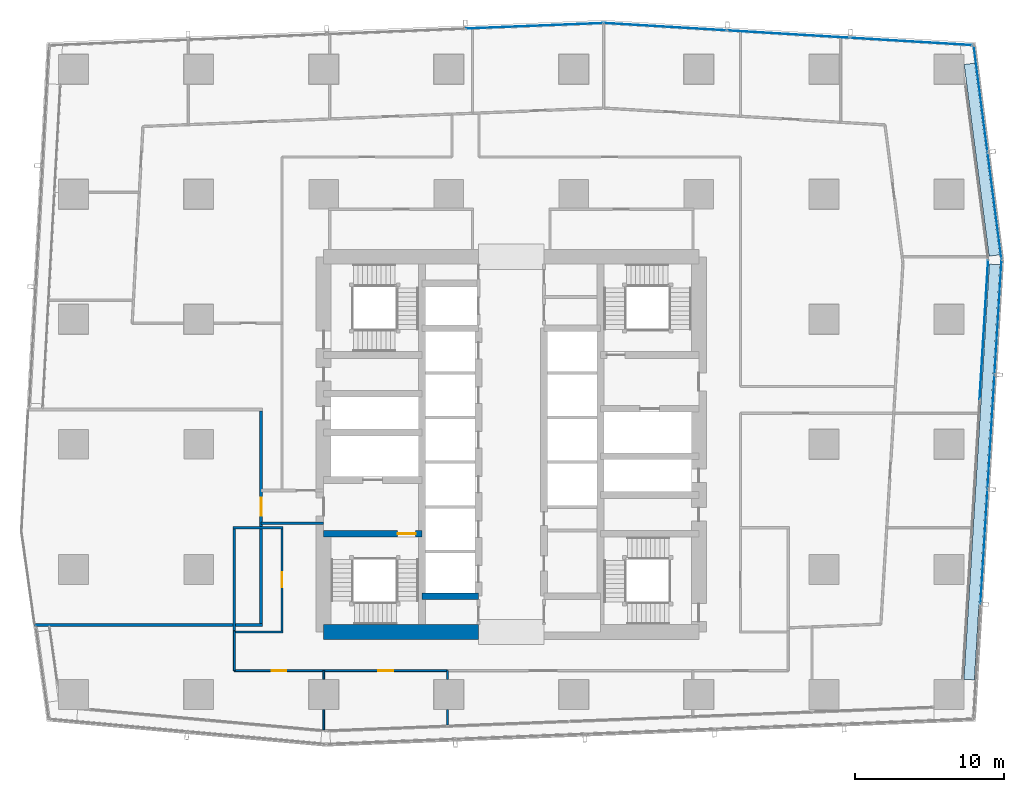
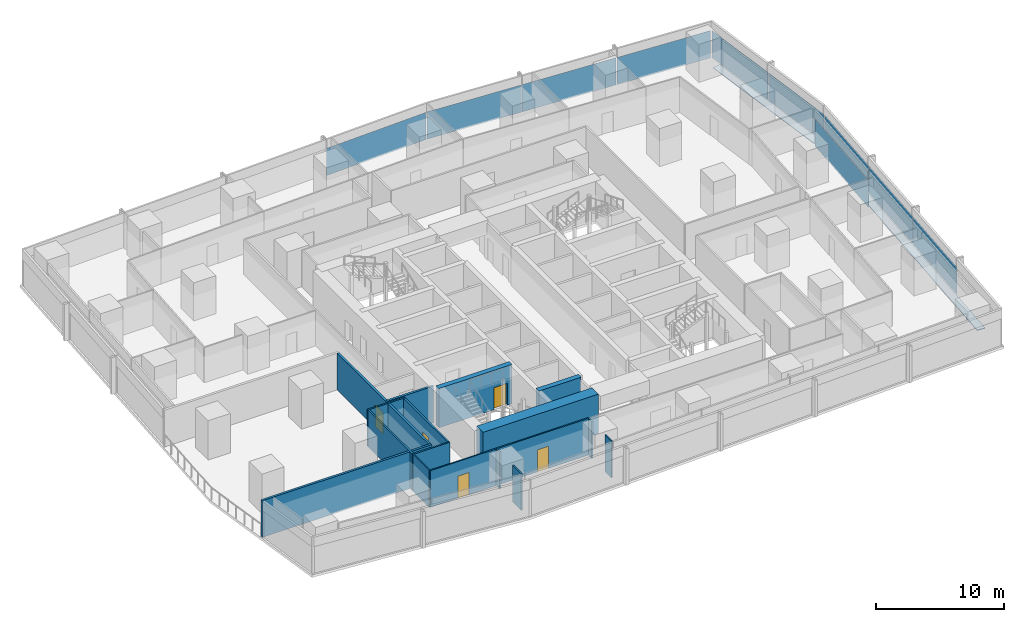
# One storey, part 25 of 36: 17 walls, 12 plates, 5 doors, 5 openings, 5 elements without a shape of their own.
"""IFC4 building model written with IfcOpenShell, lengths in metres."""

from ifc_helpers import new_model, si_unit, direction, frame, frame_2d, origin, origin_2d, place, context, subcontext, project, spatial, rectangle, extrude, material, layer, layer_set, type_object, element, fill, aggregate, save


model = new_model("IFC4")

# Units and contexts
model_context = context("Model", 3, precision=1e-05, world=origin(), true_north=direction((0.0, 1.0)))
body_context = subcontext(model_context, "Body", "Model", "MODEL_VIEW")
ifc_project = project(units=[si_unit("LENGTHUNIT", "METRE"), si_unit("AREAUNIT", "SQUARE_METRE"), si_unit("VOLUMEUNIT", "CUBIC_METRE"), si_unit("PLANEANGLEUNIT", "RADIAN"), si_unit("MASSUNIT", "GRAM", prefix="KILO")], contexts=[model_context])

# Site, building, storey
site_placement = place(None, origin())
site = spatial("IfcSite", under=ifc_project, at=site_placement, CompositionType="ELEMENT")
building_placement = place(site_placement, origin())
building = spatial("IfcBuilding", under=site, at=building_placement, Name="Rekha Terrace Tower", CompositionType="ELEMENT")
storey_placement = place(building_placement, frame((0.0, 0.0, 144.050048828125)))
storey = spatial("IfcBuildingStorey", under=building, at=storey_placement, Name="L36", CompositionType="ELEMENT", Elevation=144.050048828125)

# Curtain wall, plate
ifc_material_1 = material(Name="Aluminium framing", Category="aluminium")
curtain_wall_type_1 = type_object("IfcCurtainWallType", Name="CW1 double skin inner glazing", PredefinedType="USERDEFINED", material=ifc_material_1)
curtain_wall_1_placement = place(storey_placement, origin())
curtain_wall_1 = element("IfcCurtainWall", 1, at=curtain_wall_1_placement, inside=storey, type_object=curtain_wall_type_1, Name="CW1 double skin inner glazing", ObjectType="DOUBLE SKIN INNER GLAZING", PredefinedType="USERDEFINED")
ifc_material_2 = material(Name="Double-glazed low-e unit 32", Category="glass")
ifc_layer_1 = layer(ifc_material_2, 0.031982421875)
ifc_layer_set_1 = layer_set([ifc_layer_1], Name="Double-glazed low-e unit 32")
plate_type_1 = type_object("IfcPlateType", Name="CW1 jumbo vision panel, double-glazed low-e unit 32", PredefinedType="CURTAIN_PANEL", material=ifc_layer_set_1)
plate_1_placement = place(storey_placement, frame((69.54931640625, 41.296875, 0.0), z_axis=(0.0, 0.0, 1.0), x_axis=(0.061159803131, 0.998127987024, 0.0)))
plate_1 = element("IfcPlate", 2, at=plate_1_placement, type_object=plate_type_1, Name="CW1 panel 3.1", PredefinedType="CURTAIN_PANEL", context=body_context, shape_type="SweptSolid", body=[
    extrude(rectangle(XDim=9.3671875, YDim=0.031982421875, at=origin_2d()), origin(), (0.0, 0.0, 1.0), 2.60009765625),
])
aggregate(curtain_wall_1, [plate_1])

# Curtain wall, plates
curtain_wall_type_2 = type_object("IfcCurtainWallType", Name="CW2 double skin outer glazing", PredefinedType="USERDEFINED", material=ifc_material_1)
curtain_wall_2_placement = place(storey_placement, origin())
curtain_wall_2 = element("IfcCurtainWall", 3, at=curtain_wall_2_placement, inside=storey, type_object=curtain_wall_type_2, Name="CW2 double skin outer glazing", ObjectType="DOUBLE SKIN OUTER GLAZING", PredefinedType="USERDEFINED")
ifc_material_3 = material(Name="Toughened single glazing 12", Category="glass")
ifc_layer_2 = layer(ifc_material_3, 0.011962890625)
ifc_layer_set_2 = layer_set([ifc_layer_2], Name="Toughened single glazing 12")
plate_type_2 = type_object("IfcPlateType", Name="CW2 jumbo vision panel, toughened single glazing 12", PredefinedType="CURTAIN_PANEL", material=ifc_layer_set_2)
plate_2_placement = place(storey_placement, frame((69.557861328125, 26.722412109375, 0.0), z_axis=(0.0, 0.0, 1.0), x_axis=(0.061159803131, 0.998127987024, 0.0)))
plate_2 = element("IfcPlate", 4, at=plate_2_placement, type_object=plate_type_2, Name="CW2 panel 2.1", PredefinedType="CURTAIN_PANEL", context=body_context, shape_type="SweptSolid", body=[
    extrude(rectangle(XDim=7.646484375, YDim=0.011962890625, at=origin_2d()), origin(), (0.0, 0.0, 1.0), 2.60009765625),
])
plate_3_placement = place(storey_placement, frame((70.030517578125, 34.434326171875, 0.0), z_axis=(0.0, 0.0, 1.0), x_axis=(0.061159803131, 0.998127987024, 0.0)))
plate_3 = element("IfcPlate", 5, at=plate_3_placement, type_object=plate_type_2, Name="CW2 panel 3.1", PredefinedType="CURTAIN_PANEL", context=body_context, shape_type="SweptSolid", body=[
    extrude(rectangle(XDim=7.646484375, YDim=0.011962890625, at=origin_2d()), origin(), (0.0, 0.0, 1.0), 2.60009765625),
])
plate_4_placement = place(storey_placement, frame((70.50439453125, 42.16650390625, 0.0), z_axis=(0.0, 0.0, 1.0), x_axis=(0.061159803131, 0.998127987024, 0.0)))
plate_4 = element("IfcPlate", 6, at=plate_4_placement, type_object=plate_type_2, Name="CW2 panel 4.1", PredefinedType="CURTAIN_PANEL", context=body_context, shape_type="SweptSolid", body=[
    extrude(rectangle(XDim=7.6865234375, YDim=0.011962890625, at=origin_2d()), origin(), (0.0, 0.0, 1.0), 2.60009765625),
])
aggregate(curtain_wall_2, [plate_2, plate_3, plate_4])

curtain_wall_3_placement = place(storey_placement, origin())
curtain_wall_3 = element("IfcCurtainWall", 7, at=curtain_wall_3_placement, inside=storey, type_object=curtain_wall_type_2, Name="CW2 double skin outer glazing", ObjectType="DOUBLE SKIN OUTER GLAZING", PredefinedType="USERDEFINED")
plate_5_placement = place(storey_placement, frame((70.2666015625, 49.6337890625, 0.0), z_axis=(0.0, 0.0, 1.0), x_axis=(-0.129118383623, 0.991629186244, 0.0)))
plate_5 = element("IfcPlate", 8, at=plate_5_placement, type_object=plate_type_2, Name="CW2 panel 1.1", PredefinedType="CURTAIN_PANEL", context=body_context, shape_type="SweptSolid", body=[
    extrude(rectangle(XDim=7.163818359375, YDim=0.011962890625, at=origin_2d()), origin(), (0.0, 0.0, 1.0), 2.60009765625),
])
plate_6_placement = place(storey_placement, frame((69.331298828125, 56.81689453125, 0.0), z_axis=(0.0, 0.0, 1.0), x_axis=(-0.129118383623, 0.991629186244, 0.0)))
plate_6 = element("IfcPlate", 9, at=plate_6_placement, type_object=plate_type_2, Name="CW2 panel 2.1", PredefinedType="CURTAIN_PANEL", context=body_context, shape_type="SweptSolid", body=[
    extrude(rectangle(XDim=7.163818359375, YDim=0.011962890625, at=origin_2d()), origin(), (0.0, 0.0, 1.0), 2.60009765625),
])
aggregate(curtain_wall_3, [plate_5, plate_6])

curtain_wall_type_3 = type_object("IfcCurtainWallType", Name="CW3 north unitised glazing", PredefinedType="USERDEFINED", material=ifc_material_1)
curtain_wall_4_placement = place(storey_placement, origin())
curtain_wall_4 = element("IfcCurtainWall", 10, at=curtain_wall_4_placement, inside=storey, type_object=curtain_wall_type_3, Name="CW3 unitised curtain wall", ObjectType="UNITISED CURTAIN WALL", PredefinedType="USERDEFINED")
ifc_material_4 = material(Name="Double-glazed unit 28", Category="glass")
ifc_layer_3 = layer(ifc_material_4, 0.028076171875)
ifc_layer_set_3 = layer_set([ifc_layer_3], Name="Double-glazed unit 28")
plate_type_3 = type_object("IfcPlateType", Name="CW3 jumbo vision panel, double-glazed unit 28", PredefinedType="CURTAIN_PANEL", material=ifc_layer_set_3)
plate_7_placement = place(storey_placement, frame((64.6748046875, 60.65966796875, 0.0), z_axis=(0.0, 0.0, 1.0), x_axis=(-0.998199102701, 0.059987926837, 0.0)))
plate_7 = element("IfcPlate", 11, at=plate_7_placement, type_object=plate_type_3, Name="CW3 panel 1.1", PredefinedType="CURTAIN_PANEL", context=body_context, shape_type="SweptSolid", body=[
    extrude(rectangle(XDim=8.171630859375, YDim=0.028076171875, at=origin_2d()), origin(), (0.0, 0.0, 1.0), 2.60009765625),
])
plate_8_placement = place(storey_placement, frame((56.430419921875, 61.155029296875, 0.0), z_axis=(0.0, 0.0, 1.0), x_axis=(-0.998199102701, 0.059987926837, 0.0)))
plate_8 = element("IfcPlate", 12, at=plate_8_placement, type_object=plate_type_3, Name="CW3 panel 2.1", PredefinedType="CURTAIN_PANEL", context=body_context, shape_type="SweptSolid", body=[
    extrude(rectangle(XDim=8.20654296875, YDim=0.028076171875, at=origin_2d()), origin(), (0.0, 0.0, 1.0), 2.60009765625),
])
plate_9_placement = place(storey_placement, frame((48.1513671875, 61.652587890625, 0.0), z_axis=(0.0, 0.0, 1.0), x_axis=(-0.998199102701, 0.059987926837, 0.0)))
plate_9 = element("IfcPlate", 13, at=plate_9_placement, type_object=plate_type_3, Name="CW3 panel 3.1", PredefinedType="CURTAIN_PANEL", context=body_context, shape_type="SweptSolid", body=[
    extrude(rectangle(XDim=8.24169921875, YDim=0.028076171875, at=origin_2d()), origin(), (0.0, 0.0, 1.0), 2.60009765625),
])
aggregate(curtain_wall_4, [plate_7, plate_8, plate_9])

# Curtain wall, plate
curtain_wall_5_placement = place(storey_placement, origin())
curtain_wall_5 = element("IfcCurtainWall", 14, at=curtain_wall_5_placement, inside=storey, type_object=curtain_wall_type_3, Name="CW3 unitised curtain wall", ObjectType="UNITISED CURTAIN WALL", PredefinedType="USERDEFINED")
plate_10_placement = place(storey_placement, frame((39.364501953125, 61.71240234375, 0.0), z_axis=(0.0, 0.0, 1.0), x_axis=(-0.999198398721, -0.040031987119, 0.0)))
plate_10 = element("IfcPlate", 15, at=plate_10_placement, type_object=plate_type_3, Name="CW3 panel 1.1", PredefinedType="CURTAIN_PANEL", context=body_context, shape_type="SweptSolid", body=[
    extrude(rectangle(XDim=9.214599609375, YDim=0.028076171875, at=origin_2d()), origin(), (0.0, 0.0, 1.0), 2.60009765625),
])
aggregate(curtain_wall_5, [plate_10])

# Plates
ifc_material_5 = material(Name="Galvanised steel open grating", Category="steel")
ifc_layer_4 = layer(ifc_material_5, 0.050048828125)
ifc_layer_set_4 = layer_set([ifc_layer_4], Name="Galvanised steel open grating")
plate_type_4 = type_object("IfcPlateType", Name="GT1 cavity walkway grating 50", PredefinedType="USERDEFINED", material=ifc_layer_set_4)
plate_11_placement = place(storey_placement, frame((69.414794921875, 31.742919921875, 0.0), z_axis=(0.0, 0.0, 1.0), x_axis=(0.061159803131, 0.998127987024, 0.0)))
element("IfcPlate", 16, at=plate_11_placement, inside=storey, type_object=plate_type_4, Name="Cavity walkway grating", ObjectType="CAVITY WALKWAY GRATING", PredefinedType="USERDEFINED", context=body_context, shape_type="SweptSolid", body=[
    extrude(rectangle(XDim=27.94189453125, YDim=0.705078125, at=origin_2d()), origin(), (0.0, 0.0, 1.0), 0.050048828125),
])
plate_12_placement = place(storey_placement, frame((69.410400390625, 52.723876953125, 0.0), z_axis=(0.0, 0.0, 1.0), x_axis=(-0.129118383623, 0.991629186244, 0.0)))
element("IfcPlate", 17, at=plate_12_placement, inside=storey, type_object=plate_type_4, Name="Cavity walkway grating", ObjectType="CAVITY WALKWAY GRATING", PredefinedType="USERDEFINED", context=body_context, shape_type="SweptSolid", body=[
    extrude(rectangle(XDim=12.987060546875, YDim=0.705078125, at=origin_2d()), origin(), (0.0, 0.0, 1.0), 0.050048828125),
])

# Wall
ifc_material_6 = material(Name="Concrete M70", Category="concrete")
ifc_layer_5 = layer(ifc_material_6, 0.449951171875)
ifc_layer_set_5 = layer_set([ifc_layer_5], Name="Concrete M70")
wall_type_1 = type_object("IfcWallType", Name="CI2 450 core internal shear wall", PredefinedType="SHEAR", material=ifc_layer_set_5)
wall_1_placement = place(storey_placement, frame((31.800048828125, 23.39990234375, 0.0), z_axis=(0.0, 0.0, 1.0), x_axis=(1.0, 0.0, 0.0)))
element("IfcWall", 18, at=wall_1_placement, inside=storey, type_object=wall_type_1, Name="Core wall Y234W L36", PredefinedType="SHEAR", context=body_context, shape_type="SweptSolid", body=[
    extrude(rectangle(XDim=3.800048828125, YDim=0.449951171875, at=frame_2d((1.89990234375, 0.0))), origin(), (0.0, 0.0, 1.0), 3.75),
])

# Wall, opening, door
wall_2_placement = place(storey_placement, frame((25.199951171875, 27.60009765625, 0.0), z_axis=(0.0, 0.0, 1.0), x_axis=(1.0, 0.0, 0.0)))
wall_2 = element("IfcWall", 19, at=wall_2_placement, inside=storey, type_object=wall_type_1, Name="Core wall Y276W L36", PredefinedType="SHEAR", context=body_context, shape_type="SweptSolid", body=[
    extrude(rectangle(XDim=6.60009765625, YDim=0.449951171875, at=frame_2d((3.300048828125, 0.0))), origin(), (0.0, 0.0, 1.0), 3.75),
])
opening_1_placement = place(wall_2_placement, frame((4.97509765625, 0.0, 0.0)))
opening_1 = element("IfcOpeningElement", 20, at=opening_1_placement, cuts=wall_2, Name="Opening D1", PredefinedType="OPENING", context=body_context, shape_type="SweptSolid", body=[
    extrude(rectangle(XDim=1.199951171875, YDim=2.10009765625, at=frame_2d((0.60009765625, 1.050048828125))), frame((0.0, 0.23486328125, 0.0), z_axis=(0.0, -1.0, 0.0), x_axis=(1.0, 0.0, 0.0)), (0.0, 0.0, 1.0), 0.469970703125),
])
ifc_material_7 = material(Name="Steel fire door", Category="steel")
door_type_1 = type_object("IfcDoorType", Name="D1 1200x2100 stair fire door", OperationType="SINGLE_SWING_RIGHT", PredefinedType="DOOR", material=ifc_material_7)
door_1_placement = place(opening_1_placement, origin())
door_1 = element("IfcDoor", 21, at=door_1_placement, inside=storey, type_object=door_type_1, Name="Stair ST1 door L36", OperationType="SINGLE_SWING_RIGHT", OverallHeight=2.10009765625, OverallWidth=1.199951171875, PredefinedType="DOOR", context=body_context, shape_type="SweptSolid", body=[
    extrude(rectangle(XDim=1.199951171875, YDim=2.10009765625, at=frame_2d((0.60009765625, 1.050048828125))), frame((0.0, 0.02490234375, 0.0), z_axis=(0.0, -1.0, 0.0), x_axis=(1.0, 0.0, 0.0)), (0.0, 0.0, 1.0), 0.050048828125),
])
fill(opening_1, door_1)

# Walls
ifc_layer_6 = layer(ifc_material_6, 1.0)
ifc_layer_set_6 = layer_set([ifc_layer_6], Name="Concrete M70")
wall_type_2 = type_object("IfcWallType", Name="SW2 1000 core outer shear wall", PredefinedType="SHEAR", material=ifc_layer_set_6)
wall_3_placement = place(storey_placement, frame((25.199951171875, 21.0, 0.0), z_axis=(0.0, 0.0, 1.0), x_axis=(1.0, 0.0, 0.0)))
element("IfcWall", 22, at=wall_3_placement, inside=storey, type_object=wall_type_2, Name="Core wall S1 L36", PredefinedType="SHEAR", context=body_context, shape_type="SweptSolid", body=[
    extrude(rectangle(XDim=10.400146484375, YDim=1.0, at=frame_2d((5.2001953125, 0.0))), origin(), (0.0, 0.0, 1.0), 3.75),
])
ifc_material_8 = material(Name="Concrete block masonry, 1 hour", Category="masonry")
ifc_layer_7 = layer(ifc_material_8, 0.14990234375)
ifc_layer_set_7 = layer_set([ifc_layer_7], Name="Concrete block masonry, 1 hour")
wall_type_3 = type_object("IfcWallType", Name="WP2 150 tenancy partition", PredefinedType="PARTITIONING", material=ifc_layer_set_7)
for number, where, z_axis, x_axis, name in (
    (23, (19.125, 21.0, 0.0), (0.0, 0.0, 1.0), (1.0, 0.0, 0.0), "Men's WC wall L36"),
    (24, (19.125, 28.0, 0.0), (0.0, 0.0, 1.0), (1.0, 0.0, 0.0), "Men's WC wall L36"),
):
    element("IfcWall", number, at=place(storey_placement, frame(where, z_axis=z_axis, x_axis=x_axis)), inside=storey, type_object=wall_type_3, Name=name, PredefinedType="PARTITIONING", context=body_context, shape_type="SweptSolid", body=[
        extrude(rectangle(XDim=3.35009765625, YDim=0.14990234375, at=frame_2d((1.675048828125, 0.0))), origin(), (0.0, 0.0, 1.0), 3.5),
    ])
wall_4_placement = place(storey_placement, frame((19.199951171875, 21.074951171875, 0.0), z_axis=(0.0, 0.0, 1.0), x_axis=(0.0, 1.0, 0.0)))
element("IfcWall", 25, at=wall_4_placement, inside=storey, type_object=wall_type_3, Name="Men's WC wall L36", PredefinedType="PARTITIONING", context=body_context, shape_type="SweptSolid", body=[
    extrude(rectangle(XDim=6.85009765625, YDim=0.14990234375, at=frame_2d((3.425048828125, 0.0))), origin(), (0.0, 0.0, 1.0), 3.5),
])

# Wall, opening, door
wall_5_placement = place(storey_placement, frame((22.39990234375, 21.074951171875, 0.0), z_axis=(0.0, 0.0, 1.0), x_axis=(0.0, 1.0, 0.0)))
wall_5 = element("IfcWall", 26, at=wall_5_placement, inside=storey, type_object=wall_type_3, Name="Men's WC wall L36", PredefinedType="PARTITIONING", context=body_context, shape_type="SweptSolid", body=[
    extrude(rectangle(XDim=6.85009765625, YDim=0.14990234375, at=frame_2d((3.425048828125, 0.0))), origin(), (0.0, 0.0, 1.0), 3.5),
])
opening_2_placement = place(wall_5_placement, frame((2.925048828125, 0.0, 0.0)))
opening_2 = element("IfcOpeningElement", 27, at=opening_2_placement, cuts=wall_5, Name="Opening D3", PredefinedType="OPENING", context=body_context, shape_type="SweptSolid", body=[
    extrude(rectangle(XDim=1.0, YDim=2.10009765625, at=frame_2d((0.5, 1.050048828125))), frame((0.0, 0.0849609375, 0.0), z_axis=(0.0, -1.0, 0.0), x_axis=(1.0, 0.0, 0.0)), (0.0, 0.0, 1.0), 0.169921875),
])
ifc_material_9 = material(Name="Laminated timber fire door", Category="wood")
door_type_2 = type_object("IfcDoorType", Name="D3 1000x2100 WC door", OperationType="SINGLE_SWING_LEFT", PredefinedType="DOOR", material=ifc_material_9)
door_2_placement = place(opening_2_placement, origin())
door_2 = element("IfcDoor", 28, at=door_2_placement, inside=storey, type_object=door_type_2, Name="Door men's wc L36", OperationType="SINGLE_SWING_LEFT", OverallHeight=2.10009765625, OverallWidth=1.0, PredefinedType="DOOR", context=body_context, shape_type="SweptSolid", body=[
    extrude(rectangle(XDim=1.0, YDim=2.10009765625, at=frame_2d((0.5, 1.050048828125))), frame((0.0, 0.02490234375, 0.0), z_axis=(0.0, -1.0, 0.0), x_axis=(1.0, 0.0, 0.0)), (0.0, 0.0, 1.0), 0.050048828125),
])
fill(opening_2, door_2)

# Wall
ifc_material_10 = material(Name="Two layers of fire-rated gypsum board each side on steel studs, acoustic quilt, 1 hour", Category="steel")
ifc_layer_8 = layer(ifc_material_10, 0.125)
ifc_layer_set_8 = layer_set([ifc_layer_8], Name="Two layers of fire-rated gypsum board each side on steel studs, acoustic quilt, 1 hour")
wall_type_4 = type_object("IfcWallType", Name="WP3 125 office partition", PredefinedType="PARTITIONING", material=ifc_layer_set_8)
wall_6_placement = place(storey_placement, frame((19.199951171875, 21.073974609375, 0.0), z_axis=(0.0, 0.0, 1.0), x_axis=(0.0, -1.0, 0.0)))
element("IfcWall", 29, at=wall_6_placement, inside=storey, type_object=wall_type_4, Name="Partition L36-10", PredefinedType="PARTITIONING", context=body_context, shape_type="SweptSolid", body=[
    extrude(rectangle(XDim=2.674072265625, YDim=0.125, at=frame_2d((1.3369140625, 0.0))), origin(), (0.0, 0.0, 1.0), 3.5),
])

# Wall, opening, door
wall_7_placement = place(storey_placement, frame((19.199951171875, 18.39990234375, 0.0), z_axis=(0.0, 0.0, 1.0), x_axis=(1.0, 0.0, 0.0)))
wall_7 = element("IfcWall", 30, at=wall_7_placement, inside=storey, type_object=wall_type_4, Name="Partition L36-10", PredefinedType="PARTITIONING", context=body_context, shape_type="SweptSolid", body=[
    extrude(rectangle(XDim=6.0009765625, YDim=0.125, at=frame_2d((3.00048828125, 0.0))), origin(), (0.0, 0.0, 1.0), 3.5),
])
opening_3_placement = place(wall_7_placement, frame((2.5, 0.0, 0.0)))
opening_3 = element("IfcOpeningElement", 31, at=opening_3_placement, cuts=wall_7, Name="Opening D9", PredefinedType="OPENING", context=body_context, shape_type="SweptSolid", body=[
    extrude(rectangle(XDim=1.0, YDim=2.10009765625, at=frame_2d((0.5, 1.050048828125))), frame((0.0, 0.072509765625, 0.0), z_axis=(0.0, -1.0, 0.0), x_axis=(1.0, 0.0, 0.0)), (0.0, 0.0, 1.0), 0.14501953125),
])
ifc_material_11 = material(Name="Timber fire door", Category="wood")
door_type_3 = type_object("IfcDoorType", Name="D9 1000x2100 office door", OperationType="SINGLE_SWING_LEFT", PredefinedType="DOOR", material=ifc_material_11)
door_3_placement = place(opening_3_placement, origin())
door_3 = element("IfcDoor", 32, at=door_3_placement, inside=storey, type_object=door_type_3, Name="Door director's office L36", OperationType="SINGLE_SWING_LEFT", OverallHeight=2.10009765625, OverallWidth=1.0, PredefinedType="DOOR", context=body_context, shape_type="SweptSolid", body=[
    extrude(rectangle(XDim=1.0, YDim=2.10009765625, at=frame_2d((0.5, 1.050048828125))), frame((0.0, 0.02490234375, 0.0), z_axis=(0.0, -1.0, 0.0), x_axis=(1.0, 0.0, 0.0)), (0.0, 0.0, 1.0), 0.050048828125),
])
fill(opening_3, door_3)

# Walls
wall_8_placement = place(storey_placement, frame((25.200927734375, 18.39990234375, 0.0), z_axis=(0.0, 0.0, 1.0), x_axis=(0.0, -1.0, 0.0)))
element("IfcWall", 33, at=wall_8_placement, inside=storey, type_object=wall_type_4, Name="Partition L36-10", PredefinedType="PARTITIONING", context=body_context, shape_type="SweptSolid", body=[
    extrude(rectangle(XDim=0.579833984375, YDim=0.125, at=frame_2d((0.2900390625, 0.0))), origin(), (0.0, 0.0, 1.0), 3.5),
])
wall_9_placement = place(storey_placement, frame((25.200927734375, 15.780029296875, 0.0), z_axis=(0.0, 0.0, 1.0), x_axis=(0.0, -1.0, 0.0)))
element("IfcWall", 34, at=wall_9_placement, inside=storey, type_object=wall_type_4, Name="Partition L36-10", PredefinedType="PARTITIONING", context=body_context, shape_type="SweptSolid", body=[
    extrude(rectangle(XDim=1.35498046875, YDim=0.125, at=frame_2d((0.677490234375, 0.0))), origin(), (0.0, 0.0, 1.0), 3.5),
])
wall_10_placement = place(storey_placement, frame((33.512939453125, 18.39990234375, 0.0), z_axis=(0.0, 0.0, 1.0), x_axis=(0.0, -1.0, 0.0)))
element("IfcWall", 35, at=wall_10_placement, inside=storey, type_object=wall_type_4, Name="Partition L36-11", PredefinedType="PARTITIONING", context=body_context, shape_type="SweptSolid", body=[
    extrude(rectangle(XDim=0.579833984375, YDim=0.125, at=frame_2d((0.2900390625, 0.0))), origin(), (0.0, 0.0, 1.0), 3.5),
])
wall_11_placement = place(storey_placement, frame((33.512939453125, 15.780029296875, 0.0), z_axis=(0.0, 0.0, 1.0), x_axis=(0.0, -1.0, 0.0)))
element("IfcWall", 36, at=wall_11_placement, inside=storey, type_object=wall_type_4, Name="Partition L36-11", PredefinedType="PARTITIONING", context=body_context, shape_type="SweptSolid", body=[
    extrude(rectangle(XDim=1.02001953125, YDim=0.125, at=frame_2d((0.510009765625, 0.0))), origin(), (0.0, 0.0, 1.0), 3.5),
])

# Wall, opening, door
wall_12_placement = place(storey_placement, frame((25.201904296875, 18.39990234375, 0.0), z_axis=(0.0, 0.0, 1.0), x_axis=(1.0, 0.0, 0.0)))
wall_12 = element("IfcWall", 37, at=wall_12_placement, inside=storey, type_object=wall_type_4, Name="Partition L36-11", PredefinedType="PARTITIONING", context=body_context, shape_type="SweptSolid", body=[
    extrude(rectangle(XDim=8.31103515625, YDim=0.125, at=frame_2d((4.155517578125, 0.0))), origin(), (0.0, 0.0, 1.0), 3.5),
])
opening_4_placement = place(wall_12_placement, frame((3.655029296875, 0.0, 0.0)))
opening_4 = element("IfcOpeningElement", 38, at=opening_4_placement, cuts=wall_12, Name="Opening D9", PredefinedType="OPENING", context=body_context, shape_type="SweptSolid", body=[
    extrude(rectangle(XDim=1.0, YDim=2.10009765625, at=frame_2d((0.5, 1.050048828125))), frame((0.0, 0.072509765625, 0.0), z_axis=(0.0, -1.0, 0.0), x_axis=(1.0, 0.0, 0.0)), (0.0, 0.0, 1.0), 0.14501953125),
])
door_4_placement = place(opening_4_placement, origin())
door_4 = element("IfcDoor", 39, at=door_4_placement, inside=storey, type_object=door_type_3, Name="Door print room L36", OperationType="SINGLE_SWING_LEFT", OverallHeight=2.10009765625, OverallWidth=1.0, PredefinedType="DOOR", context=body_context, shape_type="SweptSolid", body=[
    extrude(rectangle(XDim=1.0, YDim=2.10009765625, at=frame_2d((0.5, 1.050048828125))), frame((0.0, 0.02490234375, 0.0), z_axis=(0.0, -1.0, 0.0), x_axis=(1.0, 0.0, 0.0)), (0.0, 0.0, 1.0), 0.050048828125),
])
fill(opening_4, door_4)

ifc_material_12 = material(Name="Solid concrete block masonry, 2 hour", Category="masonry")
ifc_layer_9 = layer(ifc_material_12, 0.199951171875)
ifc_layer_set_9 = layer_set([ifc_layer_9], Name="Solid concrete block masonry, 2 hour")
wall_type_5 = type_object("IfcWallType", Name="WS1 200 stair and shaft enclosure", PredefinedType="PARTITIONING", material=ifc_layer_set_9)
wall_13_placement = place(storey_placement, frame((21.0, 21.56103515625, 0.0), z_axis=(0.0, 0.0, 1.0), x_axis=(0.0, 1.0, 0.0)))
wall_13 = element("IfcWall", 40, at=wall_13_placement, inside=storey, type_object=wall_type_5, Name="Refuge area inner wall L36", PredefinedType="PARTITIONING", context=body_context, shape_type="SweptSolid", body=[
    extrude(rectangle(XDim=14.281982421875, YDim=0.199951171875, at=frame_2d((7.14111328125, 0.0))), origin(), (0.0, 0.0, 1.0), 3.5),
])
opening_5_placement = place(wall_13_placement, frame((7.239013671875, 0.0, 0.0)))
opening_5 = element("IfcOpeningElement", 41, at=opening_5_placement, cuts=wall_13, Name="Opening D2", PredefinedType="OPENING", context=body_context, shape_type="SweptSolid", body=[
    extrude(rectangle(XDim=1.199951171875, YDim=2.10009765625, at=frame_2d((0.60009765625, 1.050048828125))), frame((0.0, 0.10986328125, 0.0), z_axis=(0.0, -1.0, 0.0), x_axis=(1.0, 0.0, 0.0)), (0.0, 0.0, 1.0), 0.219970703125),
])
door_type_4 = type_object("IfcDoorType", Name="D2 1200x2100 firefighting lobby door", OperationType="SINGLE_SWING_LEFT", PredefinedType="DOOR", material=ifc_material_7)
door_5_placement = place(opening_5_placement, origin())
door_5 = element("IfcDoor", 42, at=door_5_placement, inside=storey, type_object=door_type_4, Name="Refuge area door L36", OperationType="SINGLE_SWING_LEFT", OverallHeight=2.10009765625, OverallWidth=1.199951171875, PredefinedType="DOOR", context=body_context, shape_type="SweptSolid", body=[
    extrude(rectangle(XDim=1.199951171875, YDim=2.10009765625, at=frame_2d((0.60009765625, 1.050048828125))), frame((0.0, 0.02490234375, 0.0), z_axis=(0.0, -1.0, 0.0), x_axis=(1.0, 0.0, 0.0)), (0.0, 0.0, 1.0), 0.050048828125),
])
fill(opening_5, door_5)

# Walls
wall_14_placement = place(storey_placement, frame((5.7890625, 21.4609375, 0.0), z_axis=(0.0, 0.0, 1.0), x_axis=(1.0, 0.0, 0.0)))
element("IfcWall", 43, at=wall_14_placement, inside=storey, type_object=wall_type_5, Name="Refuge area south wall L36", PredefinedType="PARTITIONING", context=body_context, shape_type="SweptSolid", body=[
    extrude(rectangle(XDim=15.31103515625, YDim=0.199951171875, at=frame_2d((7.655517578125, 0.0))), origin(), (0.0, 0.0, 1.0), 3.5),
])
wall_15_placement = place(storey_placement, frame((21.0, 28.300048828125, 0.0), z_axis=(0.0, 0.0, 1.0), x_axis=(1.0, 0.0, 0.0)))
element("IfcWall", 44, at=wall_15_placement, inside=storey, type_object=wall_type_5, Name="Refuge corridor south wall L36", PredefinedType="PARTITIONING", context=body_context, shape_type="SweptSolid", body=[
    extrude(rectangle(XDim=4.199951171875, YDim=0.199951171875, at=frame_2d((2.10009765625, 0.0))), origin(), (0.0, 0.0, 1.0), 3.5),
])

save(model, "model.ifc")
